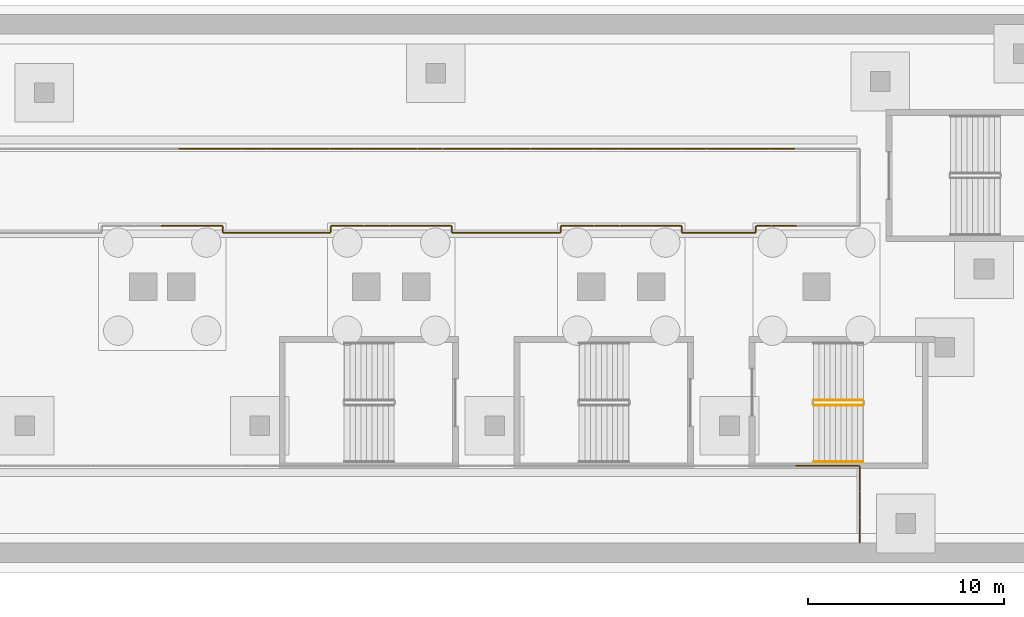
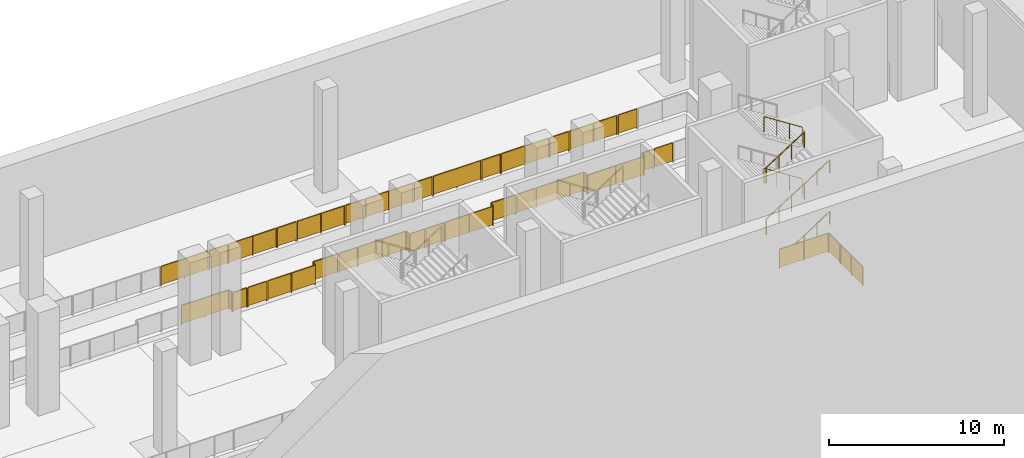
# One storey, part 13 of 15: 46 railings.
"""IFC4 building model written with IfcOpenShell, lengths in metres."""

from ifc_helpers import new_model, si_unit, direction, frame, origin, origin_2d, place, context, subcontext, project, spatial, rectangle, circle, extrude, material, type_object, element, save


model = new_model("IFC4")

# Units and contexts
model_context = context("Model", 3, precision=1e-05, world=origin(), true_north=direction((0.0, 1.0)))
body_context = subcontext(model_context, "Body", "Model", "MODEL_VIEW")
ifc_project = project(units=[si_unit("LENGTHUNIT", "METRE"), si_unit("AREAUNIT", "SQUARE_METRE"), si_unit("VOLUMEUNIT", "CUBIC_METRE"), si_unit("PLANEANGLEUNIT", "RADIAN"), si_unit("MASSUNIT", "GRAM", prefix="KILO")], contexts=[model_context])

# Site, building, storey
site_placement = place(None, origin())
site = spatial("IfcSite", under=ifc_project, at=site_placement, CompositionType="ELEMENT")
building_placement = place(site_placement, origin())
building = spatial("IfcBuilding", under=site, at=building_placement, Name="Wharfspan Tower", CompositionType="ELEMENT")
storey_placement = place(building_placement, frame((0.0, 0.0, -14.399902)))
storey = spatial("IfcBuildingStorey", under=building, at=storey_placement, Name="B2", CompositionType="ELEMENT", Elevation=-14.399902)

# Railings
ifc_material_1 = material(Name="Aluminium frame with laminated glass", Category="aluminium")
railing_type_1 = type_object("IfcRailingType", Name="Platform edge screen 1400", PredefinedType="GUARDRAIL", material=ifc_material_1)
railing_1_placement = place(storey_placement, frame((79.389893, -31.050049, 0.0)))
element("IfcRailing", 1, at=railing_1_placement, inside=storey, type_object=railing_type_1, Name="Platform edge screen", PredefinedType="GUARDRAIL", context=body_context, shape_type="SweptSolid", body=[
    extrude(circle(Radius=0.024902, at=origin_2d()), frame((0.0, 0.0, 1.375), z_axis=(1.0, 0.0, 0.0), x_axis=(0.0, 1.0, 0.0)), (0.0, 0.0, 1.0), 3.220215),
    extrude(circle(Radius=0.024902, at=origin_2d()), origin(), (0.0, 0.0, 1.0), 1.349854),
    extrude(circle(Radius=0.024902, at=origin_2d()), frame((1.610107, 0.0, 0.0)), (0.0, 0.0, 1.0), 1.349854),
    extrude(circle(Radius=0.024902, at=origin_2d()), frame((3.220215, 0.0, 0.0)), (0.0, 0.0, 1.0), 1.349854),
    extrude(rectangle(XDim=3.220215, YDim=0.02002, at=origin_2d()), frame((1.610107, 0.0, 0.100098), z_axis=(0.0, 0.0, 1.0), x_axis=(1.0, 0.0, 0.0)), (0.0, 0.0, 1.0), 1.249756),
])
for number, where, name in (
    (2, (82.649902, -31.090088, 0.0), "Platform edge screen"),
    (3, (82.649902, -33.7146, 0.0), "Platform edge screen"),
):
    element("IfcRailing", number, at=place(storey_placement, frame(where)), inside=storey, type_object=railing_type_1, Name=name, PredefinedType="GUARDRAIL", context=body_context, shape_type="SweptSolid", body=[
        extrude(circle(Radius=0.024902, at=origin_2d()), frame((0.0, 0.0, 1.375), z_axis=(0.0, -1.0, 0.0), x_axis=(1.0, 0.0, 0.0)), (0.0, 0.0, 1.0), 1.244385),
        extrude(circle(Radius=0.024902, at=origin_2d()), origin(), (0.0, 0.0, 1.0), 1.349854),
        extrude(circle(Radius=0.024902, at=origin_2d()), frame((0.0, -1.244385, 0.0)), (0.0, 0.0, 1.0), 1.349854),
        extrude(rectangle(XDim=1.244385, YDim=0.02002, at=origin_2d()), frame((0.0, -0.62207, 0.100098), z_axis=(0.0, 0.0, 1.0), x_axis=(0.0, -1.0, 0.0)), (0.0, 0.0, 1.0), 1.249756),
    ])
railing_2_placement = place(storey_placement, frame((50.121094, -19.110107, 0.0)))
element("IfcRailing", 4, at=railing_2_placement, inside=storey, type_object=railing_type_1, Name="Platform edge screen", PredefinedType="GUARDRAIL", context=body_context, shape_type="SweptSolid", body=[
    extrude(circle(Radius=0.024902, at=origin_2d()), frame((0.0, 0.0, 1.375), z_axis=(0.0, 1.0, 0.0), x_axis=(-1.0, 0.0, 0.0)), (0.0, 0.0, 1.0), 0.27002),
    extrude(circle(Radius=0.024902, at=origin_2d()), origin(), (0.0, 0.0, 1.0), 1.349854),
    extrude(circle(Radius=0.024902, at=origin_2d()), frame((0.0, 0.27002, 0.0)), (0.0, 0.0, 1.0), 1.349854),
    extrude(rectangle(XDim=0.27002, YDim=0.02002, at=origin_2d()), frame((0.0, 0.13501, 0.100098), z_axis=(0.0, 0.0, 1.0), x_axis=(0.0, 1.0, 0.0)), (0.0, 0.0, 1.0), 1.249756),
])
railing_3_placement = place(storey_placement, frame((55.581055, -19.149902, 0.0)))
element("IfcRailing", 5, at=railing_3_placement, inside=storey, type_object=railing_type_1, Name="Platform edge screen", PredefinedType="GUARDRAIL", context=body_context, shape_type="SweptSolid", body=[
    extrude(circle(Radius=0.024902, at=origin_2d()), frame((0.0, 0.0, 1.375), z_axis=(-1.0, 0.0, 0.0), x_axis=(0.0, -1.0, 0.0)), (0.0, 0.0, 1.0), 3.120117),
    extrude(circle(Radius=0.024902, at=origin_2d()), origin(), (0.0, 0.0, 1.0), 1.349854),
    extrude(circle(Radius=0.024902, at=origin_2d()), frame((-1.560059, 0.0, 0.0)), (0.0, 0.0, 1.0), 1.349854),
    extrude(circle(Radius=0.024902, at=origin_2d()), frame((-3.120117, 0.0, 0.0)), (0.0, 0.0, 1.0), 1.349854),
    extrude(rectangle(XDim=3.120117, YDim=0.02002, at=origin_2d()), frame((-1.560059, 0.0, 0.100098), z_axis=(0.0, 0.0, 1.0), x_axis=(-1.0, 0.0, 0.0)), (0.0, 0.0, 1.0), 1.249756),
])
railing_4_placement = place(storey_placement, frame((51.081055, -19.149902, 0.0)))
element("IfcRailing", 6, at=railing_4_placement, inside=storey, type_object=railing_type_1, Name="Platform edge screen", PredefinedType="GUARDRAIL", context=body_context, shape_type="SweptSolid", body=[
    extrude(circle(Radius=0.024902, at=origin_2d()), frame((0.0, 0.0, 1.375), z_axis=(-1.0, 0.0, 0.0), x_axis=(0.0, -1.0, 0.0)), (0.0, 0.0, 1.0), 0.920166),
    extrude(circle(Radius=0.024902, at=origin_2d()), origin(), (0.0, 0.0, 1.0), 1.349854),
    extrude(circle(Radius=0.024902, at=origin_2d()), frame((-0.920166, 0.0, 0.0)), (0.0, 0.0, 1.0), 1.349854),
    extrude(rectangle(XDim=0.920166, YDim=0.02002, at=origin_2d()), frame((-0.459961, 0.0, 0.100098), z_axis=(0.0, 0.0, 1.0), x_axis=(-1.0, 0.0, 0.0)), (0.0, 0.0, 1.0), 1.249756),
])
railing_5_placement = place(storey_placement, frame((61.821045, -19.110107, 0.0)))
element("IfcRailing", 7, at=railing_5_placement, inside=storey, type_object=railing_type_1, Name="Platform edge screen", PredefinedType="GUARDRAIL", context=body_context, shape_type="SweptSolid", body=[
    extrude(circle(Radius=0.024902, at=origin_2d()), frame((0.0, 0.0, 1.375), z_axis=(0.0, 1.0, 0.0), x_axis=(-1.0, 0.0, 0.0)), (0.0, 0.0, 1.0), 0.27002),
    extrude(circle(Radius=0.024902, at=origin_2d()), origin(), (0.0, 0.0, 1.0), 1.349854),
    extrude(circle(Radius=0.024902, at=origin_2d()), frame((0.0, 0.27002, 0.0)), (0.0, 0.0, 1.0), 1.349854),
    extrude(rectangle(XDim=0.27002, YDim=0.02002, at=origin_2d()), frame((0.0, 0.13501, 0.100098), z_axis=(0.0, 0.0, 1.0), x_axis=(0.0, 1.0, 0.0)), (0.0, 0.0, 1.0), 1.249756),
])
railing_6_placement = place(storey_placement, frame((67.331055, -19.149902, 0.0)))
element("IfcRailing", 8, at=railing_6_placement, inside=storey, type_object=railing_type_1, Name="Platform edge screen", PredefinedType="GUARDRAIL", context=body_context, shape_type="SweptSolid", body=[
    extrude(circle(Radius=0.024902, at=origin_2d()), frame((0.0, 0.0, 1.375), z_axis=(-1.0, 0.0, 0.0), x_axis=(0.0, -1.0, 0.0)), (0.0, 0.0, 1.0), 3.120117),
    extrude(circle(Radius=0.024902, at=origin_2d()), origin(), (0.0, 0.0, 1.0), 1.349854),
    extrude(circle(Radius=0.024902, at=origin_2d()), frame((-1.560059, 0.0, 0.0)), (0.0, 0.0, 1.0), 1.349854),
    extrude(circle(Radius=0.024902, at=origin_2d()), frame((-3.120117, 0.0, 0.0)), (0.0, 0.0, 1.0), 1.349854),
    extrude(rectangle(XDim=3.120117, YDim=0.02002, at=origin_2d()), frame((-1.560059, 0.0, 0.100098), z_axis=(0.0, 0.0, 1.0), x_axis=(-1.0, 0.0, 0.0)), (0.0, 0.0, 1.0), 1.249756),
])
railing_7_placement = place(storey_placement, frame((62.831055, -19.149902, 0.0)))
element("IfcRailing", 9, at=railing_7_placement, inside=storey, type_object=railing_type_1, Name="Platform edge screen", PredefinedType="GUARDRAIL", context=body_context, shape_type="SweptSolid", body=[
    extrude(circle(Radius=0.024902, at=origin_2d()), frame((0.0, 0.0, 1.375), z_axis=(-1.0, 0.0, 0.0), x_axis=(0.0, -1.0, 0.0)), (0.0, 0.0, 1.0), 0.969971),
    extrude(circle(Radius=0.024902, at=origin_2d()), origin(), (0.0, 0.0, 1.0), 1.349854),
    extrude(circle(Radius=0.024902, at=origin_2d()), frame((-0.969971, 0.0, 0.0)), (0.0, 0.0, 1.0), 1.349854),
    extrude(rectangle(XDim=0.969971, YDim=0.02002, at=origin_2d()), frame((-0.484863, 0.0, 0.100098), z_axis=(0.0, 0.0, 1.0), x_axis=(-1.0, 0.0, 0.0)), (0.0, 0.0, 1.0), 1.249756),
])
railing_8_placement = place(storey_placement, frame((73.571045, -19.110107, 0.0)))
element("IfcRailing", 10, at=railing_8_placement, inside=storey, type_object=railing_type_1, Name="Platform edge screen", PredefinedType="GUARDRAIL", context=body_context, shape_type="SweptSolid", body=[
    extrude(circle(Radius=0.024902, at=origin_2d()), frame((0.0, 0.0, 1.375), z_axis=(0.0, 1.0, 0.0), x_axis=(-1.0, 0.0, 0.0)), (0.0, 0.0, 1.0), 0.27002),
    extrude(circle(Radius=0.024902, at=origin_2d()), origin(), (0.0, 0.0, 1.0), 1.349854),
    extrude(circle(Radius=0.024902, at=origin_2d()), frame((0.0, 0.27002, 0.0)), (0.0, 0.0, 1.0), 1.349854),
    extrude(rectangle(XDim=0.27002, YDim=0.02002, at=origin_2d()), frame((0.0, 0.13501, 0.100098), z_axis=(0.0, 0.0, 1.0), x_axis=(0.0, 1.0, 0.0)), (0.0, 0.0, 1.0), 1.249756),
])
railing_9_placement = place(storey_placement, frame((77.302002, -19.149902, 0.0)))
element("IfcRailing", 11, at=railing_9_placement, inside=storey, type_object=railing_type_1, Name="Platform edge screen", PredefinedType="GUARDRAIL", context=body_context, shape_type="SweptSolid", body=[
    extrude(circle(Radius=0.024902, at=origin_2d()), frame((0.0, 0.0, 1.375), z_axis=(-1.0, 0.0, 0.0), x_axis=(0.0, -1.0, 0.0)), (0.0, 0.0, 1.0), 3.690918),
    extrude(circle(Radius=0.024902, at=origin_2d()), origin(), (0.0, 0.0, 1.0), 1.349854),
    extrude(circle(Radius=0.024902, at=origin_2d()), frame((-1.845459, 0.0, 0.0)), (0.0, 0.0, 1.0), 1.349854),
    extrude(circle(Radius=0.024902, at=origin_2d()), frame((-3.690918, 0.0, 0.0)), (0.0, 0.0, 1.0), 1.349854),
    extrude(rectangle(XDim=3.690918, YDim=0.02002, at=origin_2d()), frame((-1.845459, 0.0, 0.100098), z_axis=(0.0, 0.0, 1.0), x_axis=(-1.0, 0.0, 0.0)), (0.0, 0.0, 1.0), 1.249756),
])
railing_10_placement = place(storey_placement, frame((50.081055, -18.800049, 0.0)))
element("IfcRailing", 12, at=railing_10_placement, inside=storey, type_object=railing_type_1, Name="Platform edge screen", PredefinedType="GUARDRAIL", context=body_context, shape_type="SweptSolid", body=[
    extrude(circle(Radius=0.024902, at=origin_2d()), frame((0.0, 0.0, 1.375), z_axis=(-1.0, 0.0, 0.0), x_axis=(0.0, -1.0, 0.0)), (0.0, 0.0, 1.0), 3.120117),
    extrude(circle(Radius=0.024902, at=origin_2d()), origin(), (0.0, 0.0, 1.0), 1.349854),
    extrude(circle(Radius=0.024902, at=origin_2d()), frame((-1.560059, 0.0, 0.0)), (0.0, 0.0, 1.0), 1.349854),
    extrude(circle(Radius=0.024902, at=origin_2d()), frame((-3.120117, 0.0, 0.0)), (0.0, 0.0, 1.0), 1.349854),
    extrude(rectangle(XDim=3.120117, YDim=0.02002, at=origin_2d()), frame((-1.560059, 0.0, 0.100098), z_axis=(0.0, 0.0, 1.0), x_axis=(-1.0, 0.0, 0.0)), (0.0, 0.0, 1.0), 1.249756),
])
railing_11_placement = place(storey_placement, frame((55.621094, -18.840088, 0.0)))
element("IfcRailing", 13, at=railing_11_placement, inside=storey, type_object=railing_type_1, Name="Platform edge screen", PredefinedType="GUARDRAIL", context=body_context, shape_type="SweptSolid", body=[
    extrude(circle(Radius=0.024902, at=origin_2d()), frame((0.0, 0.0, 1.375), z_axis=(0.0, -1.0, 0.0), x_axis=(1.0, 0.0, 0.0)), (0.0, 0.0, 1.0), 0.27002),
    extrude(circle(Radius=0.024902, at=origin_2d()), origin(), (0.0, 0.0, 1.0), 1.349854),
    extrude(circle(Radius=0.024902, at=origin_2d()), frame((0.0, -0.27002, 0.0)), (0.0, 0.0, 1.0), 1.349854),
    extrude(rectangle(XDim=0.27002, YDim=0.02002, at=origin_2d()), frame((0.0, -0.13501, 0.100098), z_axis=(0.0, 0.0, 1.0), x_axis=(0.0, -1.0, 0.0)), (0.0, 0.0, 1.0), 1.249756),
])
railing_12_placement = place(storey_placement, frame((61.781006, -18.800049, 0.0)))
element("IfcRailing", 14, at=railing_12_placement, inside=storey, type_object=railing_type_1, Name="Platform edge screen", PredefinedType="GUARDRAIL", context=body_context, shape_type="SweptSolid", body=[
    extrude(circle(Radius=0.024902, at=origin_2d()), frame((0.0, 0.0, 1.375), z_axis=(-1.0, 0.0, 0.0), x_axis=(0.0, -1.0, 0.0)), (0.0, 0.0, 1.0), 3.120117),
    extrude(circle(Radius=0.024902, at=origin_2d()), origin(), (0.0, 0.0, 1.0), 1.349854),
    extrude(circle(Radius=0.024902, at=origin_2d()), frame((-1.560059, 0.0, 0.0)), (0.0, 0.0, 1.0), 1.349854),
    extrude(circle(Radius=0.024902, at=origin_2d()), frame((-3.120117, 0.0, 0.0)), (0.0, 0.0, 1.0), 1.349854),
    extrude(rectangle(XDim=3.120117, YDim=0.02002, at=origin_2d()), frame((-1.560059, 0.0, 0.100098), z_axis=(0.0, 0.0, 1.0), x_axis=(-1.0, 0.0, 0.0)), (0.0, 0.0, 1.0), 1.249756),
])
railing_13_placement = place(storey_placement, frame((57.281006, -18.800049, 0.0)))
element("IfcRailing", 15, at=railing_13_placement, inside=storey, type_object=railing_type_1, Name="Platform edge screen", PredefinedType="GUARDRAIL", context=body_context, shape_type="SweptSolid", body=[
    extrude(circle(Radius=0.024902, at=origin_2d()), frame((0.0, 0.0, 1.375), z_axis=(-1.0, 0.0, 0.0), x_axis=(0.0, -1.0, 0.0)), (0.0, 0.0, 1.0), 1.620117),
    extrude(circle(Radius=0.024902, at=origin_2d()), origin(), (0.0, 0.0, 1.0), 1.349854),
    extrude(circle(Radius=0.024902, at=origin_2d()), frame((-1.620117, 0.0, 0.0)), (0.0, 0.0, 1.0), 1.349854),
    extrude(rectangle(XDim=1.620117, YDim=0.02002, at=origin_2d()), frame((-0.810059, 0.0, 0.100098), z_axis=(0.0, 0.0, 1.0), x_axis=(-1.0, 0.0, 0.0)), (0.0, 0.0, 1.0), 1.249756),
])
railing_14_placement = place(storey_placement, frame((67.371094, -18.840088, 0.0)))
element("IfcRailing", 16, at=railing_14_placement, inside=storey, type_object=railing_type_1, Name="Platform edge screen", PredefinedType="GUARDRAIL", context=body_context, shape_type="SweptSolid", body=[
    extrude(circle(Radius=0.024902, at=origin_2d()), frame((0.0, 0.0, 1.375), z_axis=(0.0, -1.0, 0.0), x_axis=(1.0, 0.0, 0.0)), (0.0, 0.0, 1.0), 0.27002),
    extrude(circle(Radius=0.024902, at=origin_2d()), origin(), (0.0, 0.0, 1.0), 1.349854),
    extrude(circle(Radius=0.024902, at=origin_2d()), frame((0.0, -0.27002, 0.0)), (0.0, 0.0, 1.0), 1.349854),
    extrude(rectangle(XDim=0.27002, YDim=0.02002, at=origin_2d()), frame((0.0, -0.13501, 0.100098), z_axis=(0.0, 0.0, 1.0), x_axis=(0.0, -1.0, 0.0)), (0.0, 0.0, 1.0), 1.249756),
])
railing_15_placement = place(storey_placement, frame((73.531006, -18.800049, 0.0)))
element("IfcRailing", 17, at=railing_15_placement, inside=storey, type_object=railing_type_1, Name="Platform edge screen", PredefinedType="GUARDRAIL", context=body_context, shape_type="SweptSolid", body=[
    extrude(circle(Radius=0.024902, at=origin_2d()), frame((0.0, 0.0, 1.375), z_axis=(-1.0, 0.0, 0.0), x_axis=(0.0, -1.0, 0.0)), (0.0, 0.0, 1.0), 3.120117),
    extrude(circle(Radius=0.024902, at=origin_2d()), origin(), (0.0, 0.0, 1.0), 1.349854),
    extrude(circle(Radius=0.024902, at=origin_2d()), frame((-1.560059, 0.0, 0.0)), (0.0, 0.0, 1.0), 1.349854),
    extrude(circle(Radius=0.024902, at=origin_2d()), frame((-3.120117, 0.0, 0.0)), (0.0, 0.0, 1.0), 1.349854),
    extrude(rectangle(XDim=3.120117, YDim=0.02002, at=origin_2d()), frame((-1.560059, 0.0, 0.100098), z_axis=(0.0, 0.0, 1.0), x_axis=(-1.0, 0.0, 0.0)), (0.0, 0.0, 1.0), 1.249756),
])
railing_16_placement = place(storey_placement, frame((69.031006, -18.800049, 0.0)))
element("IfcRailing", 18, at=railing_16_placement, inside=storey, type_object=railing_type_1, Name="Platform edge screen", PredefinedType="GUARDRAIL", context=body_context, shape_type="SweptSolid", body=[
    extrude(circle(Radius=0.024902, at=origin_2d()), frame((0.0, 0.0, 1.375), z_axis=(-1.0, 0.0, 0.0), x_axis=(0.0, -1.0, 0.0)), (0.0, 0.0, 1.0), 1.620117),
    extrude(circle(Radius=0.024902, at=origin_2d()), origin(), (0.0, 0.0, 1.0), 1.349854),
    extrude(circle(Radius=0.024902, at=origin_2d()), frame((-1.620117, 0.0, 0.0)), (0.0, 0.0, 1.0), 1.349854),
    extrude(rectangle(XDim=1.620117, YDim=0.02002, at=origin_2d()), frame((-0.810059, 0.0, 0.100098), z_axis=(0.0, 0.0, 1.0), x_axis=(-1.0, 0.0, 0.0)), (0.0, 0.0, 1.0), 1.249756),
])
railing_17_placement = place(storey_placement, frame((77.342041, -18.840088, 0.0)))
element("IfcRailing", 19, at=railing_17_placement, inside=storey, type_object=railing_type_1, Name="Platform edge screen", PredefinedType="GUARDRAIL", context=body_context, shape_type="SweptSolid", body=[
    extrude(circle(Radius=0.024902, at=origin_2d()), frame((0.0, 0.0, 1.375), z_axis=(0.0, -1.0, 0.0), x_axis=(1.0, 0.0, 0.0)), (0.0, 0.0, 1.0), 0.27002),
    extrude(circle(Radius=0.024902, at=origin_2d()), origin(), (0.0, 0.0, 1.0), 1.349854),
    extrude(circle(Radius=0.024902, at=origin_2d()), frame((0.0, -0.27002, 0.0)), (0.0, 0.0, 1.0), 1.349854),
    extrude(rectangle(XDim=0.27002, YDim=0.02002, at=origin_2d()), frame((0.0, -0.13501, 0.100098), z_axis=(0.0, 0.0, 1.0), x_axis=(0.0, -1.0, 0.0)), (0.0, 0.0, 1.0), 1.249756),
])
railing_18_placement = place(storey_placement, frame((78.110107, -18.800049, 0.0)))
element("IfcRailing", 20, at=railing_18_placement, inside=storey, type_object=railing_type_1, Name="Platform edge screen", PredefinedType="GUARDRAIL", context=body_context, shape_type="SweptSolid", body=[
    extrude(circle(Radius=0.024902, at=origin_2d()), frame((0.0, 0.0, 1.375), z_axis=(-1.0, 0.0, 0.0), x_axis=(0.0, -1.0, 0.0)), (0.0, 0.0, 1.0), 0.728027),
    extrude(circle(Radius=0.024902, at=origin_2d()), origin(), (0.0, 0.0, 1.0), 1.349854),
    extrude(circle(Radius=0.024902, at=origin_2d()), frame((-0.728027, 0.0, 0.0)), (0.0, 0.0, 1.0), 1.349854),
    extrude(rectangle(XDim=0.728027, YDim=0.02002, at=origin_2d()), frame((-0.364014, 0.0, 0.100098), z_axis=(0.0, 0.0, 1.0), x_axis=(-1.0, 0.0, 0.0)), (0.0, 0.0, 1.0), 1.249756),
])
for number, where, name in (
    (21, (47.889893, -14.850098, 0.0), "Platform edge screen"),
    (22, (52.389893, -14.850098, 0.0), "Platform edge screen"),
    (23, (56.889893, -14.850098, 0.0), "Platform edge screen"),
    (24, (61.389893, -14.850098, 0.0), "Platform edge screen"),
    (25, (65.889893, -14.850098, 0.0), "Platform edge screen"),
    (26, (70.389893, -14.850098, 0.0), "Platform edge screen"),
    (27, (74.889893, -14.850098, 0.0), "Platform edge screen"),
):
    element("IfcRailing", number, at=place(storey_placement, frame(where)), inside=storey, type_object=railing_type_1, Name=name, PredefinedType="GUARDRAIL", context=body_context, shape_type="SweptSolid", body=[
        extrude(circle(Radius=0.024902, at=origin_2d()), frame((0.0, 0.0, 1.375), z_axis=(1.0, 0.0, 0.0), x_axis=(0.0, 1.0, 0.0)), (0.0, 0.0, 1.0), 3.120117),
        extrude(circle(Radius=0.024902, at=origin_2d()), origin(), (0.0, 0.0, 1.0), 1.349854),
        extrude(circle(Radius=0.024902, at=origin_2d()), frame((1.560059, 0.0, 0.0)), (0.0, 0.0, 1.0), 1.349854),
        extrude(circle(Radius=0.024902, at=origin_2d()), frame((3.120117, 0.0, 0.0)), (0.0, 0.0, 1.0), 1.349854),
        extrude(rectangle(XDim=3.120117, YDim=0.02002, at=origin_2d()), frame((1.560059, 0.0, 0.100098), z_axis=(0.0, 0.0, 1.0), x_axis=(1.0, 0.0, 0.0)), (0.0, 0.0, 1.0), 1.249756),
    ])
railing_type_2 = type_object("IfcRailingType", Name="Platform end gate 1400 (closed)", PredefinedType="GUARDRAIL", material=ifc_material_1)
railing_19_placement = place(storey_placement, frame((82.649902, -32.414551, 0.0)))
element("IfcRailing", 28, at=railing_19_placement, inside=storey, type_object=railing_type_2, Name="Platform end gate (closed)", PredefinedType="GUARDRAIL", context=body_context, shape_type="SweptSolid", body=[
    extrude(circle(Radius=0.024902, at=origin_2d()), frame((0.0, 0.0, 1.375), z_axis=(0.0, -1.0, 0.0), x_axis=(1.0, 0.0, 0.0)), (0.0, 0.0, 1.0), 1.219971),
    extrude(circle(Radius=0.024902, at=origin_2d()), origin(), (0.0, 0.0, 1.0), 1.349854),
    extrude(circle(Radius=0.024902, at=origin_2d()), frame((0.0, -1.219971, 0.0)), (0.0, 0.0, 1.0), 1.349854),
    extrude(rectangle(XDim=1.219971, YDim=0.02002, at=origin_2d()), frame((0.0, -0.609863, 0.100098), z_axis=(0.0, 0.0, 1.0), x_axis=(0.0, -1.0, 0.0)), (0.0, 0.0, 1.0), 1.249756),
])
railing_type_3 = type_object("IfcRailingType", Name="Platform screen door leaf 1400 (closed)", PredefinedType="GUARDRAIL", material=ifc_material_1)
for number, where, name in (
    (29, (52.381104, -19.149902, 0.0), "Platform screen door leaf (closed)"),
    (30, (64.131104, -19.149902, 0.0), "Platform screen door leaf (closed)"),
):
    element("IfcRailing", number, at=place(storey_placement, frame(where)), inside=storey, type_object=railing_type_3, Name=name, PredefinedType="GUARDRAIL", context=body_context, shape_type="SweptSolid", body=[
        extrude(circle(Radius=0.024902, at=origin_2d()), frame((0.0, 0.0, 1.375), z_axis=(-1.0, 0.0, 0.0), x_axis=(0.0, -1.0, 0.0)), (0.0, 0.0, 1.0), 1.220215),
        extrude(circle(Radius=0.024902, at=origin_2d()), origin(), (0.0, 0.0, 1.0), 1.349854),
        extrude(circle(Radius=0.024902, at=origin_2d()), frame((-1.220215, 0.0, 0.0)), (0.0, 0.0, 1.0), 1.349854),
        extrude(rectangle(XDim=1.220215, YDim=0.02002, at=origin_2d()), frame((-0.610107, 0.0, 0.100098), z_axis=(0.0, 0.0, 1.0), x_axis=(-1.0, 0.0, 0.0)), (0.0, 0.0, 1.0), 1.249756),
    ])
for number, where, name in (
    (31, (58.581055, -18.800049, 0.0), "Platform screen door leaf (closed)"),
    (32, (70.331055, -18.800049, 0.0), "Platform screen door leaf (closed)"),
    (33, (79.409912, -18.800049, 0.0), "Platform screen door leaf (closed)"),
):
    element("IfcRailing", number, at=place(storey_placement, frame(where)), inside=storey, type_object=railing_type_3, Name=name, PredefinedType="GUARDRAIL", context=body_context, shape_type="SweptSolid", body=[
        extrude(circle(Radius=0.024902, at=origin_2d()), frame((0.0, 0.0, 1.375), z_axis=(-1.0, 0.0, 0.0), x_axis=(0.0, -1.0, 0.0)), (0.0, 0.0, 1.0), 1.219971),
        extrude(circle(Radius=0.024902, at=origin_2d()), origin(), (0.0, 0.0, 1.0), 1.349854),
        extrude(circle(Radius=0.024902, at=origin_2d()), frame((-1.219971, 0.0, 0.0)), (0.0, 0.0, 1.0), 1.349854),
        extrude(rectangle(XDim=1.219971, YDim=0.02002, at=origin_2d()), frame((-0.609863, 0.0, 0.100098), z_axis=(0.0, 0.0, 1.0), x_axis=(-1.0, 0.0, 0.0)), (0.0, 0.0, 1.0), 1.249756),
    ])
for number, where, name in (
    (34, (51.090088, -14.850098, 0.0), "Platform screen door leaf (closed)"),
    (35, (55.590088, -14.850098, 0.0), "Platform screen door leaf (closed)"),
    (36, (60.090088, -14.850098, 0.0), "Platform screen door leaf (closed)"),
    (37, (64.590088, -14.850098, 0.0), "Platform screen door leaf (closed)"),
    (38, (69.090088, -14.850098, 0.0), "Platform screen door leaf (closed)"),
    (39, (73.590088, -14.850098, 0.0), "Platform screen door leaf (closed)"),
    (40, (78.090088, -14.850098, 0.0), "Platform screen door leaf (closed)"),
):
    element("IfcRailing", number, at=place(storey_placement, frame(where)), inside=storey, type_object=railing_type_3, Name=name, PredefinedType="GUARDRAIL", context=body_context, shape_type="SweptSolid", body=[
        extrude(circle(Radius=0.024902, at=origin_2d()), frame((0.0, 0.0, 1.375), z_axis=(1.0, 0.0, 0.0), x_axis=(0.0, 1.0, 0.0)), (0.0, 0.0, 1.0), 1.219971),
        extrude(circle(Radius=0.024902, at=origin_2d()), origin(), (0.0, 0.0, 1.0), 1.349854),
        extrude(circle(Radius=0.024902, at=origin_2d()), frame((1.219971, 0.0, 0.0)), (0.0, 0.0, 1.0), 1.349854),
        extrude(rectangle(XDim=1.219971, YDim=0.02002, at=origin_2d()), frame((0.609863, 0.0, 0.100098), z_axis=(0.0, 0.0, 1.0), x_axis=(1.0, 0.0, 0.0)), (0.0, 0.0, 1.0), 1.249756),
    ])
ifc_material_2 = material(Name="Steel S355J2", Category="steel")
railing_type_4 = type_object("IfcRailingType", Name="Podium guard 1100", PredefinedType="GUARDRAIL", material=ifc_material_2)
railing_20_placement = place(storey_placement, frame((80.300049, -27.949951, 0.179932)))
element("IfcRailing", 41, at=railing_20_placement, inside=storey, type_object=railing_type_4, Name="B2 SB5 stair guard 1", PredefinedType="GUARDRAIL", context=body_context, shape_type="SweptSolid", body=[
    extrude(circle(Radius=0.023926, at=origin_2d()), frame((0.0, 0.0, 1.076172), z_axis=(0.8412, 0.0, 0.540725), x_axis=(0.0, 1.0, 0.0)), (0.0, 0.0, 1.0), 2.99585),
    extrude(circle(Radius=0.020996, at=origin_2d()), origin(), (0.0, 0.0, 1.0), 1.052002),
    extrude(circle(Radius=0.020996, at=origin_2d()), frame((0.840088, 0.0, 0.540039)), (0.0, 0.0, 1.0), 1.052002),
    extrude(circle(Radius=0.020996, at=origin_2d()), frame((1.679932, 0.0, 1.079834)), (0.0, 0.0, 1.0), 1.052002),
    extrude(circle(Radius=0.020996, at=origin_2d()), frame((2.52002, 0.0, 1.619873)), (0.0, 0.0, 1.0), 1.052002),
])
railing_21_placement = place(storey_placement, frame((82.820068, -27.699951, 1.97998)))
element("IfcRailing", 42, at=railing_21_placement, inside=storey, type_object=railing_type_4, Name="B2 SB5 stair guard 3", PredefinedType="GUARDRAIL", context=body_context, shape_type="SweptSolid", body=[
    extrude(circle(Radius=0.023926, at=origin_2d()), frame((0.0, 0.0, 1.076172), z_axis=(-0.8412, 0.0, 0.540725), x_axis=(0.0, -1.0, 0.0)), (0.0, 0.0, 1.0), 2.99585),
    extrude(circle(Radius=0.020996, at=origin_2d()), origin(), (0.0, 0.0, 1.0), 1.052002),
    extrude(circle(Radius=0.020996, at=origin_2d()), frame((-0.840088, 0.0, 0.540039)), (0.0, 0.0, 1.0), 1.052002),
    extrude(circle(Radius=0.020996, at=origin_2d()), frame((-1.679932, 0.0, 1.079834)), (0.0, 0.0, 1.0), 1.052002),
    extrude(circle(Radius=0.020996, at=origin_2d()), frame((-2.52002, 0.0, 1.619873)), (0.0, 0.0, 1.0), 1.052002),
])
railing_22_placement = place(storey_placement, frame((80.300049, -27.949951, 3.779785)))
element("IfcRailing", 43, at=railing_22_placement, inside=storey, type_object=railing_type_4, Name="B2 SB5 stair guard 5", PredefinedType="GUARDRAIL", context=body_context, shape_type="SweptSolid", body=[
    extrude(circle(Radius=0.023926, at=origin_2d()), frame((0.0, 0.0, 1.076172), z_axis=(0.841163, 0.0, 0.540782), x_axis=(0.0, 1.0, 0.0)), (0.0, 0.0, 1.0), 2.99585),
    extrude(circle(Radius=0.020996, at=origin_2d()), origin(), (0.0, 0.0, 1.0), 1.052002),
    extrude(circle(Radius=0.020996, at=origin_2d()), frame((0.840088, 0.0, 0.540039)), (0.0, 0.0, 1.0), 1.052002),
    extrude(circle(Radius=0.020996, at=origin_2d()), frame((1.679932, 0.0, 1.080078)), (0.0, 0.0, 1.0), 1.052002),
    extrude(circle(Radius=0.020996, at=origin_2d()), frame((2.52002, 0.0, 1.620117)), (0.0, 0.0, 1.0), 1.052002),
])
railing_23_placement = place(storey_placement, frame((82.820068, -27.699951, 5.579834)))
element("IfcRailing", 44, at=railing_23_placement, inside=storey, type_object=railing_type_4, Name="B2 SB5 stair guard 7", PredefinedType="GUARDRAIL", context=body_context, shape_type="SweptSolid", body=[
    extrude(circle(Radius=0.023926, at=origin_2d()), frame((0.0, 0.0, 1.076172), z_axis=(-0.841163, 0.0, 0.540782), x_axis=(0.0, -1.0, 0.0)), (0.0, 0.0, 1.0), 2.99585),
    extrude(circle(Radius=0.020996, at=origin_2d()), origin(), (0.0, 0.0, 1.0), 1.052002),
    extrude(circle(Radius=0.020996, at=origin_2d()), frame((-0.840088, 0.0, 0.540039)), (0.0, 0.0, 1.0), 1.052002),
    extrude(circle(Radius=0.020996, at=origin_2d()), frame((-1.679932, 0.0, 1.080078)), (0.0, 0.0, 1.0), 1.052002),
    extrude(circle(Radius=0.020996, at=origin_2d()), frame((-2.52002, 0.0, 1.620117)), (0.0, 0.0, 1.0), 1.052002),
])
railing_type_5 = type_object("IfcRailingType", Name="Podium stair handrail 900", PredefinedType="HANDRAIL", material=ifc_material_2)
railing_24_placement = place(storey_placement, frame((80.300049, -30.850098, 0.179932)))
element("IfcRailing", 45, at=railing_24_placement, inside=storey, type_object=railing_type_5, Name="B2 SB5 stair handrail 1", PredefinedType="HANDRAIL", context=body_context, shape_type="SweptSolid", body=[
    extrude(circle(Radius=0.023926, at=origin_2d()), frame((0.0, 0.0, 0.875977), z_axis=(0.8412, 0.0, 0.540725), x_axis=(0.0, 1.0, 0.0)), (0.0, 0.0, 1.0), 2.99585),
    extrude(circle(Radius=0.020996, at=origin_2d()), origin(), (0.0, 0.0, 1.0), 0.851807),
    extrude(circle(Radius=0.020996, at=origin_2d()), frame((0.840088, 0.0, 0.540039)), (0.0, 0.0, 1.0), 0.851807),
    extrude(circle(Radius=0.020996, at=origin_2d()), frame((1.679932, 0.0, 1.079834)), (0.0, 0.0, 1.0), 0.851807),
    extrude(circle(Radius=0.020996, at=origin_2d()), frame((2.52002, 0.0, 1.619873)), (0.0, 0.0, 1.0), 0.851807),
])
railing_25_placement = place(storey_placement, frame((80.300049, -30.850098, 3.779785)))
element("IfcRailing", 46, at=railing_25_placement, inside=storey, type_object=railing_type_5, Name="B2 SB5 stair handrail 3", PredefinedType="HANDRAIL", context=body_context, shape_type="SweptSolid", body=[
    extrude(circle(Radius=0.023926, at=origin_2d()), frame((0.0, 0.0, 0.875977), z_axis=(0.841163, 0.0, 0.540782), x_axis=(0.0, 1.0, 0.0)), (0.0, 0.0, 1.0), 2.99585),
    extrude(circle(Radius=0.020996, at=origin_2d()), origin(), (0.0, 0.0, 1.0), 0.851807),
    extrude(circle(Radius=0.020996, at=origin_2d()), frame((0.840088, 0.0, 0.540039)), (0.0, 0.0, 1.0), 0.851807),
    extrude(circle(Radius=0.020996, at=origin_2d()), frame((1.679932, 0.0, 1.080078)), (0.0, 0.0, 1.0), 0.851807),
    extrude(circle(Radius=0.020996, at=origin_2d()), frame((2.52002, 0.0, 1.620117)), (0.0, 0.0, 1.0), 0.851807),
])

save(model, "model.ifc")
